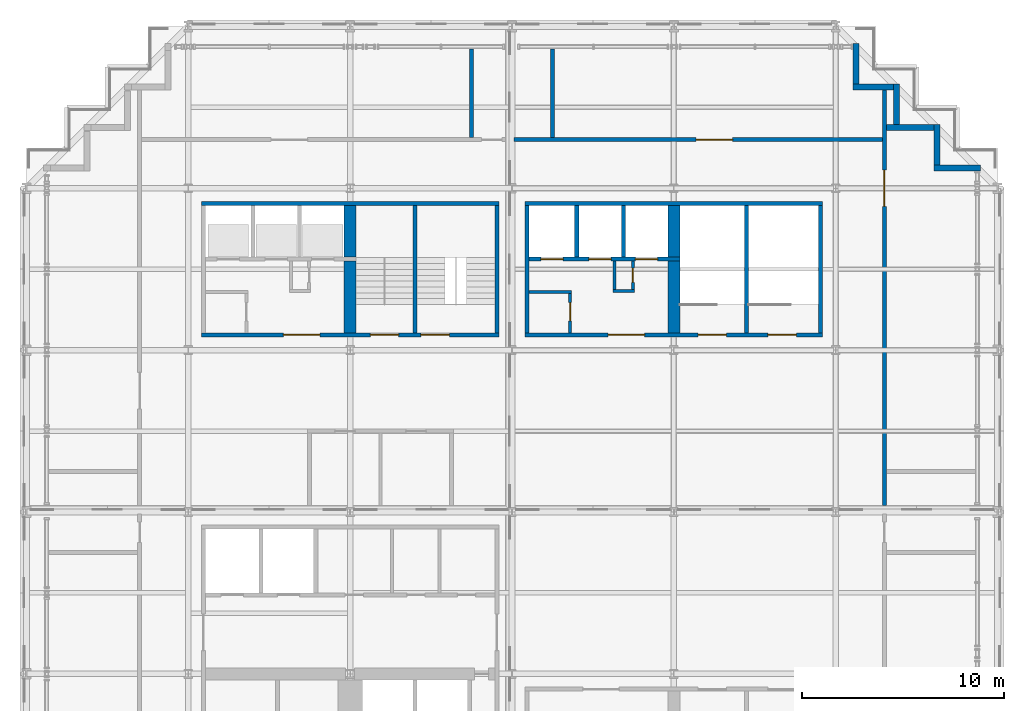
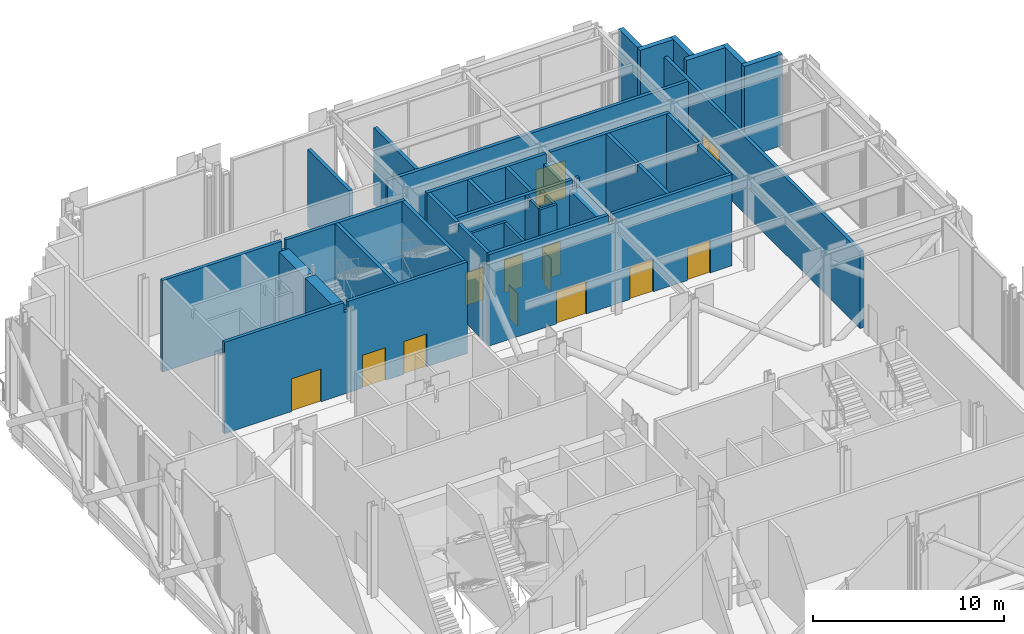
# One storey, part 20 of 25: 31 walls, 13 doors, 13 openings.
"""IFC4 building model written with IfcOpenShell, lengths in metres."""

import ifcopenshell
import ifcopenshell.guid

model = None  # the IFC model being written
_history = None  # IfcOwnerHistory: only IFC2X3 demands one
_inside = {}  # id of a spatial element -> (the spatial element, [elements in it])
_under = {}  # id of a project, library or spatial element -> (it, [spatial elements below it])
_declared = {}  # id of a project -> (the project, [libraries it declares])
_typed = {}  # id of a type object -> (the type object, [elements of that type])
_made_of = {}  # id of a material, layer set ... -> (it, [elements and type objects made of it])


def new_model(schema):
    """Start an empty IFC model of exactly this schema.

    Asked for "IFC4X3", IfcOpenShell would pick the latest addendum, in which some entities
    have other attributes; the version numbers below select the first issue.
    IFC2X3 requires an IfcOwnerHistory on every rooted entity: one is made here for all.
    """
    global model, _history
    if schema == "IFC4X3":
        model = ifcopenshell.file(schema_version=(4, 3, 0, 0))
    else:
        model = ifcopenshell.file(schema=schema)
    _inside.clear()
    _under.clear()
    _declared.clear()
    _typed.clear()
    _made_of.clear()
    _history = None
    if model.schema == "IFC2X3":
        org = make("IfcOrganization", Name="unknown")
        user = make(
            "IfcPersonAndOrganization",
            ThePerson=make("IfcPerson", FamilyName="unknown"),
            TheOrganization=org,
        )
        app = make(
            "IfcApplication",
            ApplicationDeveloper=org,
            Version="unknown",
            ApplicationFullName="unknown",
            ApplicationIdentifier="unknown",
        )
        _history = make(
            "IfcOwnerHistory",
            OwningUser=user,
            OwningApplication=app,
            ChangeAction="ADDED",
            CreationDate=0,
        )
    return model


def make(cls, **values):
    """One entity of the class cls with the attributes given. An attribute that is None is left unset."""
    return model.create_entity(
        cls, **{name: value for name, value in values.items() if value is not None}
    )


def rooted(cls, **values):
    """An entity with a GlobalId (a new one), such as an element, a storey or a relation."""
    return make(cls, GlobalId=ifcopenshell.guid.new(), OwnerHistory=_history, **values)


def si_unit(unit_type, name, prefix=None):
    """IfcSIUnit, for example si_unit("LENGTHUNIT", "METRE", prefix="MILLI")."""
    return make("IfcSIUnit", UnitType=unit_type, Prefix=prefix, Name=name)


def assignment(units):
    """IfcUnitAssignment: the units of a project."""
    return None if units is None else make("IfcUnitAssignment", Units=units)


def point(xyz):
    """IfcCartesianPoint."""
    return None if xyz is None else make("IfcCartesianPoint", Coordinates=xyz)


def direction(xyz):
    """IfcDirection."""
    return None if xyz is None else make("IfcDirection", DirectionRatios=xyz)


def frame(location, z_axis=None, x_axis=None):
    """IfcAxis2Placement3D, a coordinate frame: its origin and axes. An axis left out is left unset."""
    return make(
        "IfcAxis2Placement3D",
        Location=point(location),
        Axis=direction(z_axis),
        RefDirection=direction(x_axis),
    )


def frame_2d(location, x_axis=None):
    """IfcAxis2Placement2D, a coordinate frame in the plane: its origin and x axis."""
    return make(
        "IfcAxis2Placement2D", Location=point(location), RefDirection=direction(x_axis)
    )


def origin():
    """The frame at (0, 0, 0) with its axes left unset."""
    return frame((0.0, 0.0, 0.0))


def place(relative_to, where):
    """IfcLocalPlacement: puts the frame where relative to a parent placement (None: the world)."""
    return make(
        "IfcLocalPlacement", PlacementRelTo=relative_to, RelativePlacement=where
    )


def context(
    kind, dimensions, precision=None, world=None, true_north=None, identifier=None
):
    """IfcGeometricRepresentationContext, for example the 3D "Model" context."""
    return make(
        "IfcGeometricRepresentationContext",
        ContextIdentifier=identifier,
        ContextType=kind,
        CoordinateSpaceDimension=dimensions,
        Precision=precision,
        WorldCoordinateSystem=world,
        TrueNorth=true_north,
    )


def subcontext(parent, identifier, kind, view, scale=None):
    """IfcGeometricRepresentationSubContext, for example "Body" below "Model"."""
    return make(
        "IfcGeometricRepresentationSubContext",
        ContextIdentifier=identifier,
        ContextType=kind,
        ParentContext=parent,
        TargetScale=scale,
        TargetView=view,
    )


def project(units=None, contexts=None):
    """IfcProject with its units and contexts."""
    return rooted(
        "IfcProject",
        Name="project",
        RepresentationContexts=contexts,
        UnitsInContext=assignment(units),
    )


def spatial(cls, under=None, at=None, **own):
    """A site, building, storey or space (cls), placed at a placement, below another one or the project."""
    s = rooted(cls, ObjectPlacement=at, **own)
    if under is not None:
        _under.setdefault(under.id(), (under, []))[1].append(s)
    return s


def polyline(points):
    """IfcPolyline through the points."""
    return make("IfcPolyline", Points=[point(p) for p in points])


def profile(cls, at=None, kind="AREA", **sizes):
    """A parametric profile (cls). Its sizes go by their IFC names, for example OverallWidth=200.0."""
    return make(cls, ProfileType=kind, Position=at, **sizes)


def rectangle(**sizes):
    """IfcRectangleProfileDef."""
    return profile("IfcRectangleProfileDef", **sizes)


def outline(outer, holes=None, kind="AREA"):
    """IfcArbitraryClosedProfileDef: a profile drawn as a closed curve; with holes, ...WithVoids."""
    if holes is None:
        return make("IfcArbitraryClosedProfileDef", ProfileType=kind, OuterCurve=outer)
    return make(
        "IfcArbitraryProfileDefWithVoids",
        ProfileType=kind,
        OuterCurve=outer,
        InnerCurves=holes,
    )


def extrude(swept, where, along, depth):
    """IfcExtrudedAreaSolid: the profile swept, set in the frame where, extruded along a direction by depth."""
    return make(
        "IfcExtrudedAreaSolid",
        SweptArea=swept,
        Position=where,
        ExtrudedDirection=direction(along),
        Depth=depth,
    )


def shape(context_of_items, identifier, shape_type, items):
    """IfcShapeRepresentation: the items that make up one representation, for example the "Body"."""
    return make(
        "IfcShapeRepresentation",
        ContextOfItems=context_of_items,
        RepresentationIdentifier=identifier,
        RepresentationType=shape_type,
        Items=items,
    )


def material(Name=None, Category=None):
    """IfcMaterial."""
    return make("IfcMaterial", Name=Name, Category=Category)


def layer(
    of_material, thickness, ventilated=None, Name=None, Category=None, Priority=None
):
    """IfcMaterialLayer: one layer of a wall or slab, of a material (None: an air gap)."""
    return make(
        "IfcMaterialLayer",
        Material=of_material,
        LayerThickness=thickness,
        IsVentilated=ventilated,
        Name=Name,
        Category=Category,
        Priority=Priority,
    )


def layer_set(layers, Name=None):
    """IfcMaterialLayerSet."""
    return make("IfcMaterialLayerSet", MaterialLayers=layers, LayerSetName=Name)


def made_of(thing, what):
    """Note that an element or type object is made of a material, layer set ...; save() writes the relation."""
    if what is not None:
        _made_of.setdefault(what.id(), (what, []))[1].append(thing)
    return thing


def type_object(cls, material=None, **own):
    """A type object (cls), such as IfcWallType, which elements share."""
    return made_of(rooted(cls, **own), material)


def element(
    cls,
    number,
    at=None,
    inside=None,
    cuts=None,
    type_object=None,
    material=None,
    context=None,
    identifier="Body",
    shape_type=None,
    held_by="IfcProductDefinitionShape",
    body=None,
    shapes=None,
    **own,
):
    """One element of the class cls, such as IfcWall. Its Tag is "e" and its number.

    at: its placement. inside: the storey or other place that contains it. cuts: it is an
    opening in that element (IfcRelVoidsElement). A single representation is given by context,
    identifier, shape_type and body (its items); several are given by shapes. held_by: the class
    of the entity that holds the representations. save() writes the other relations.
    """
    e = rooted(cls, Tag="e%d" % number, ObjectPlacement=at, **own)
    if body is not None:
        shapes = [shape(context, identifier, shape_type, body)]
    if shapes is not None:
        e.Representation = make(held_by, Representations=shapes)
    if inside is not None:
        _inside.setdefault(inside.id(), (inside, []))[1].append(e)
    if cuts is not None:
        rooted(
            "IfcRelVoidsElement", RelatingBuildingElement=cuts, RelatedOpeningElement=e
        )
    if type_object is not None:
        _typed.setdefault(type_object.id(), (type_object, []))[1].append(e)
    return made_of(e, material)


def fill(opening, filler):
    """IfcRelFillsElement: the door or window that sits in an opening."""
    return rooted(
        "IfcRelFillsElement",
        RelatingOpeningElement=opening,
        RelatedBuildingElement=filler,
    )


def aggregate(whole, parts):
    """IfcRelAggregates: a whole, such as a stair, and the parts it consists of."""
    return rooted("IfcRelAggregates", RelatingObject=whole, RelatedObjects=parts)


def save(model, path):
    """Write the relations noted so far, then the file.

    IfcRelAggregates (storeys below a building ...), IfcRelContainedInSpatialStructure (elements
    in a storey), IfcRelDefinesByType, IfcRelAssociatesMaterial and IfcRelDeclares: one each for
    every whole, place, type object, material and project.
    """
    for whole, parts in _under.values():
        aggregate(whole, parts)
    for where, things in _inside.values():
        rooted(
            "IfcRelContainedInSpatialStructure",
            RelatedElements=things,
            RelatingStructure=where,
        )
    for kind, things in _typed.values():
        rooted("IfcRelDefinesByType", RelatedObjects=things, RelatingType=kind)
    for what, things in _made_of.values():
        rooted("IfcRelAssociatesMaterial", RelatedObjects=things, RelatingMaterial=what)
    for by, libraries in _declared.values():
        rooted("IfcRelDeclares", RelatingContext=by, RelatedDefinitions=libraries)
    model.write(path)


model = new_model("IFC4")

# Units and contexts
model_context = context("Model", 3, precision=1e-05, world=origin(), true_north=direction((0.0, 1.0)))
body_context = subcontext(model_context, "Body", "Model", "MODEL_VIEW")
ifc_project = project(units=[si_unit("LENGTHUNIT", "METRE"), si_unit("AREAUNIT", "SQUARE_METRE"), si_unit("VOLUMEUNIT", "CUBIC_METRE"), si_unit("PLANEANGLEUNIT", "RADIAN"), si_unit("MASSUNIT", "GRAM", prefix="KILO")], contexts=[model_context])

# Site, building, storey
site_placement = place(None, origin())
site = spatial("IfcSite", under=ifc_project, at=site_placement, CompositionType="ELEMENT")
building_placement = place(site_placement, origin())
building = spatial("IfcBuilding", under=site, at=building_placement, Name="Immortelle Media Tower", CompositionType="ELEMENT")
storey_placement = place(building_placement, frame((0.0, 0.0, 114.0)))
storey = spatial("IfcBuildingStorey", under=building, at=storey_placement, Name="L22", CompositionType="ELEMENT", Elevation=114.0)

# Wall
ifc_material_1 = material(Name="Fire-rated gypsum board", Category="gypsum")
ifc_layer_1 = layer(ifc_material_1, 0.02490234375)
ifc_material_2 = material(Name="Steel ASTM A653 SS Gr 50 stud frame with mineral wool", Category="steel")
ifc_layer_2 = layer(ifc_material_2, 0.10009765625)
ifc_layer_3 = layer(ifc_material_1, 0.02490234375)
ifc_layer_set_1 = layer_set([ifc_layer_1, ifc_layer_2, ifc_layer_3], Name="Steel ASTM A653 SS Gr 50 stud frame with mineral wool")
wall_type_1 = type_object("IfcWallType", Name="Core partition 150", PredefinedType="PARTITIONING", material=ifc_layer_set_1)
wall_1_placement = place(storey_placement, frame((24.85009765625, 34.875, 0.0), z_axis=(0.0, 0.0, 1.0), x_axis=(1.0, 0.0, 0.0)))
element("IfcWall", 1, at=wall_1_placement, inside=storey, type_object=wall_type_1, Name="Core partition NE", PredefinedType="PARTITIONING", context=body_context, shape_type="SweptSolid", body=[
    extrude(rectangle(XDim=2.099853515625, YDim=0.14990234375, at=frame_2d((1.0498046875, 0.0))), origin(), (0.0, 0.0, 1.0), 5.85009765625),
])

# Wall, opening, door
wall_2_placement = place(storey_placement, frame((26.875, 32.85009765625, 0.0), z_axis=(0.0, 0.0, 1.0), x_axis=(0.0, 1.0, 0.0)))
wall_2 = element("IfcWall", 2, at=wall_2_placement, inside=storey, type_object=wall_type_1, Name="Core partition NE", PredefinedType="PARTITIONING", context=body_context, shape_type="SweptSolid", body=[
    extrude(rectangle(XDim=1.949951171875, YDim=0.14990234375, at=frame_2d((0.97509765625, 0.0))), origin(), (0.0, 0.0, 1.0), 5.85009765625),
])
opening_1_placement = place(wall_2_placement, frame((0.60009765625, 0.0, 0.0)))
opening_1 = element("IfcOpeningElement", 3, at=opening_1_placement, cuts=wall_2, Name="Opening L22-K031", PredefinedType="OPENING", context=body_context, shape_type="SweptSolid", body=[
    extrude(rectangle(XDim=0.89990234375, YDim=2.10009765625, at=frame_2d((0.449951171875, 1.050048828125))), frame((0.0, 0.0849609375, 0.0), z_axis=(0.0, -1.0, 0.0), x_axis=(1.0, 0.0, 0.0)), (0.0, 0.0, 1.0), 0.169921875),
])
ifc_material_3 = material(Name="Galvanised steel door leaf and frame ASTM A653", Category="steel")
door_type_1 = type_object("IfcDoorType", Name="Service door 900 x 2100", OperationType="NOTDEFINED", PredefinedType="NOTDEFINED", material=ifc_material_3)
door_1_placement = place(opening_1_placement, origin())
door_1 = element("IfcDoor", 4, at=door_1_placement, inside=storey, type_object=door_type_1, Name="Service L22-K031", OperationType="SINGLE_SWING_LEFT", OverallHeight=2.10009765625, OverallWidth=0.89990234375, PredefinedType="NOTDEFINED", context=body_context, shape_type="SweptSolid", body=[
    extrude(rectangle(XDim=0.89990234375, YDim=2.10009765625, at=frame_2d((0.449951171875, 1.050048828125))), frame((0.0, 0.02490234375, 0.0), z_axis=(0.0, -1.0, 0.0), x_axis=(1.0, 0.0, 0.0)), (0.0, 0.0, 1.0), 0.050048828125),
])
fill(opening_1, door_1)

# Walls
wall_3_placement = place(storey_placement, frame((29.0, 34.925048828125, 0.0), z_axis=(0.0, 0.0, 1.0), x_axis=(1.0, 0.0, 0.0)))
element("IfcWall", 5, at=wall_3_placement, inside=storey, type_object=wall_type_1, Name="Core partition NE", PredefinedType="PARTITIONING", context=body_context, shape_type="SweptSolid", body=[
    extrude(rectangle(XDim=1.050048828125, YDim=0.14990234375, at=frame_2d((0.52490234375, 0.0))), origin(), (0.0, 0.0, 1.0), 5.85009765625),
])
wall_4_placement = place(storey_placement, frame((29.074951171875, 35.0, 0.0), z_axis=(0.0, 0.0, 1.0), x_axis=(0.0, 1.0, 0.0)))
element("IfcWall", 6, at=wall_4_placement, inside=storey, type_object=wall_type_1, Name="Core partition NE", PredefinedType="PARTITIONING", context=body_context, shape_type="SweptSolid", body=[
    extrude(outline(polyline([(0.0, 0.0), (1.39990234375, 0.0), (1.39990234375, 5.85009765625), (1.08740234375, 5.85009765625), (1.08642578125, 5.318115234375), (0.91357421875, 5.318115234375), (0.91259765625, 5.85009765625), (0.0, 5.85009765625), (0.0, 0.0)])), frame((0.0, 0.074951171875, 0.0), z_axis=(0.0, -1.0, 0.0), x_axis=(1.0, 0.0, 0.0)), (0.0, 0.0, 1.0), 0.14990234375),
])

# Wall, opening, door
wall_5_placement = place(storey_placement, frame((29.97509765625, 35.0, 0.0), z_axis=(0.0, 0.0, 1.0), x_axis=(0.0, 1.0, 0.0)))
wall_5 = element("IfcWall", 7, at=wall_5_placement, inside=storey, type_object=wall_type_1, Name="Core partition NE", PredefinedType="PARTITIONING", context=body_context, shape_type="SweptSolid", body=[
    extrude(outline(polyline([(0.0, 0.0), (1.39990234375, 0.0), (1.39990234375, 5.85009765625), (1.08740234375, 5.85009765625), (1.08642578125, 5.318115234375), (0.91357421875, 5.318115234375), (0.91259765625, 5.85009765625), (0.0, 5.85009765625), (0.0, 0.0)])), frame((0.0, 0.074951171875, 0.0), z_axis=(0.0, -1.0, 0.0), x_axis=(1.0, 0.0, 0.0)), (0.0, 0.0, 1.0), 0.14990234375),
])
opening_2_placement = place(wall_5_placement, frame((0.35009765625, 0.0, 0.0)))
opening_2 = element("IfcOpeningElement", 8, at=opening_2_placement, cuts=wall_5, Name="Opening L22-K034", PredefinedType="OPENING", context=body_context, shape_type="SweptSolid", body=[
    extrude(rectangle(XDim=0.699951171875, YDim=2.10009765625, at=frame_2d((0.35009765625, 1.050048828125))), frame((0.0, 0.0849609375, 0.0), z_axis=(0.0, -1.0, 0.0), x_axis=(1.0, 0.0, 0.0)), (0.0, 0.0, 1.0), 0.169921875),
])
door_type_2 = type_object("IfcDoorType", Name="Service door 700 x 2100", OperationType="NOTDEFINED", PredefinedType="NOTDEFINED", material=ifc_material_3)
door_2_placement = place(opening_2_placement, origin())
door_2 = element("IfcDoor", 9, at=door_2_placement, inside=storey, type_object=door_type_2, Name="Service L22-K034", OperationType="SINGLE_SWING_RIGHT", OverallHeight=2.10009765625, OverallWidth=0.699951171875, PredefinedType="NOTDEFINED", context=body_context, shape_type="SweptSolid", body=[
    extrude(rectangle(XDim=0.699951171875, YDim=2.10009765625, at=frame_2d((0.35009765625, 1.050048828125))), frame((0.0, 0.02490234375, 0.0), z_axis=(0.0, -1.0, 0.0), x_axis=(1.0, 0.0, 0.0)), (0.0, 0.0, 1.0), 0.050048828125),
])
fill(opening_2, door_2)

# Wall
ifc_layer_4 = layer(ifc_material_1, 0.03759765625)
ifc_layer_5 = layer(ifc_material_2, 0.125)
ifc_layer_6 = layer(ifc_material_1, 0.03759765625)
ifc_layer_set_2 = layer_set([ifc_layer_4, ifc_layer_5, ifc_layer_6], Name="Steel ASTM A653 SS Gr 50 stud frame with mineral wool")
wall_type_2 = type_object("IfcWallType", Name="Core shaft wall 200", PredefinedType="PARTITIONING", material=ifc_layer_set_2)
wall_6_placement = place(storey_placement, frame((24.75, 32.85009765625, 0.0), z_axis=(0.0, 0.0, 1.0), x_axis=(0.0, 1.0, 0.0)))
element("IfcWall", 10, at=wall_6_placement, inside=storey, type_object=wall_type_2, Name="Core shaft wall NE", PredefinedType="PARTITIONING", context=body_context, shape_type="SweptSolid", body=[
    extrude(outline(polyline([(0.0, 0.0), (6.2998046875, 0.0), (6.300048828125, 5.85009765625), (3.237548828125, 5.85009765625), (3.236572265625, 5.318115234375), (3.0634765625, 5.318115234375), (3.0625, 5.85009765625), (0.0, 5.85009765625), (0.0, 0.0)])), frame((0.0, 0.10009765625, 0.0), z_axis=(0.0, -1.0, 0.0), x_axis=(1.0, 0.0, 0.0)), (0.0, 0.0, 1.0), 0.199951171875),
])

# Wall, openings, doors
wall_7_placement = place(storey_placement, frame((24.85009765625, 36.5, 0.0), z_axis=(0.0, 0.0, 1.0), x_axis=(1.0, 0.0, 0.0)))
wall_7 = element("IfcWall", 11, at=wall_7_placement, inside=storey, type_object=wall_type_2, Name="Core shaft wall NE", PredefinedType="PARTITIONING", context=body_context, shape_type="SweptSolid", body=[
    extrude(outline(polyline([(0.0, 0.0), (7.449951171875, 0.0), (7.449951171875, 5.85009765625), (7.26953125, 5.85009765625), (7.2685546875, 5.23193359375), (7.031494140625, 5.23193359375), (7.030517578125, 5.85009765625), (0.0, 5.85009765625), (0.0, 0.0)])), frame((0.0, 0.10009765625, 0.0), z_axis=(0.0, -1.0, 0.0), x_axis=(1.0, 0.0, 0.0)), (0.0, 0.0, 1.0), 0.199951171875),
])
opening_3_placement = place(wall_7_placement, frame((0.574951171875, 0.0, 0.0)))
opening_3 = element("IfcOpeningElement", 12, at=opening_3_placement, cuts=wall_7, Name="Opening LD", PredefinedType="OPENING", context=body_context, shape_type="SweptSolid", body=[
    extrude(rectangle(XDim=1.10009765625, YDim=2.10009765625, at=frame_2d((0.550048828125, 1.050048828125))), frame((0.0, 0.10986328125, 0.0), z_axis=(0.0, -1.0, 0.0), x_axis=(1.0, 0.0, 0.0)), (0.0, 0.0, 1.0), 0.219970703125),
])
opening_4_placement = place(wall_7_placement, frame((2.949951171875, 0.0, 0.0)))
opening_4 = element("IfcOpeningElement", 13, at=opening_4_placement, cuts=wall_7, Name="Opening LD", PredefinedType="OPENING", context=body_context, shape_type="SweptSolid", body=[
    extrude(rectangle(XDim=1.10009765625, YDim=2.10009765625, at=frame_2d((0.550048828125, 1.050048828125))), frame((0.0, 0.10986328125, 0.0), z_axis=(0.0, -1.0, 0.0), x_axis=(1.0, 0.0, 0.0)), (0.0, 0.0, 1.0), 0.219970703125),
])
opening_5_placement = place(wall_7_placement, frame((5.25, 0.0, 0.0)))
opening_5 = element("IfcOpeningElement", 14, at=opening_5_placement, cuts=wall_7, Name="Opening LD", PredefinedType="OPENING", context=body_context, shape_type="SweptSolid", body=[
    extrude(rectangle(XDim=1.10009765625, YDim=2.10009765625, at=frame_2d((0.550048828125, 1.050048828125))), frame((0.0, 0.10986328125, 0.0), z_axis=(0.0, -1.0, 0.0), x_axis=(1.0, 0.0, 0.0)), (0.0, 0.0, 1.0), 0.219970703125),
])
ifc_material_4 = material(Name="Stainless steel AISI 304", Category="steel")
door_type_3 = type_object("IfcDoorType", Name="Landing door 1100 x 2100", OperationType="SLIDING_TO_LEFT", PredefinedType="NOTDEFINED", material=ifc_material_4)
door_3_placement = place(opening_3_placement, origin())
door_3 = element("IfcDoor", 15, at=door_3_placement, inside=storey, type_object=door_type_3, Name="Landing door LR1 L22", OperationType="SLIDING_TO_LEFT", OverallHeight=2.10009765625, OverallWidth=1.10009765625, PredefinedType="NOTDEFINED", context=body_context, shape_type="SweptSolid", body=[
    extrude(rectangle(XDim=1.10009765625, YDim=2.10009765625, at=frame_2d((0.550048828125, 1.050048828125))), frame((0.0, 0.02490234375, 0.0), z_axis=(0.0, -1.0, 0.0), x_axis=(1.0, 0.0, 0.0)), (0.0, 0.0, 1.0), 0.050048828125),
])
fill(opening_3, door_3)
door_4_placement = place(opening_4_placement, origin())
door_4 = element("IfcDoor", 16, at=door_4_placement, inside=storey, type_object=door_type_3, Name="Landing door LR2 L22", OperationType="SLIDING_TO_LEFT", OverallHeight=2.10009765625, OverallWidth=1.10009765625, PredefinedType="NOTDEFINED", context=body_context, shape_type="SweptSolid", body=[
    extrude(rectangle(XDim=1.10009765625, YDim=2.10009765625, at=frame_2d((0.550048828125, 1.050048828125))), frame((0.0, 0.02490234375, 0.0), z_axis=(0.0, -1.0, 0.0), x_axis=(1.0, 0.0, 0.0)), (0.0, 0.0, 1.0), 0.050048828125),
])
fill(opening_4, door_4)
door_5_placement = place(opening_5_placement, origin())
door_5 = element("IfcDoor", 17, at=door_5_placement, inside=storey, type_object=door_type_3, Name="Landing door LR3 L22", OperationType="SLIDING_TO_LEFT", OverallHeight=2.10009765625, OverallWidth=1.10009765625, PredefinedType="NOTDEFINED", context=body_context, shape_type="SweptSolid", body=[
    extrude(rectangle(XDim=1.10009765625, YDim=2.10009765625, at=frame_2d((0.550048828125, 1.050048828125))), frame((0.0, 0.02490234375, 0.0), z_axis=(0.0, -1.0, 0.0), x_axis=(1.0, 0.0, 0.0)), (0.0, 0.0, 1.0), 0.050048828125),
])
fill(opening_5, door_5)

# Walls
for number, where, z_axis, x_axis, name in (
    (18, (27.199951171875, 36.60009765625, 0.0), (0.0, 0.0, 1.0), (0.0, 1.0, 0.0), "Core shaft wall NE"),
    (19, (29.5, 36.60009765625, 0.0), (0.0, 0.0, 1.0), (0.0, 1.0, 0.0), "Core shaft wall NE"),
):
    element("IfcWall", number, at=place(storey_placement, frame(where, z_axis=z_axis, x_axis=x_axis)), inside=storey, type_object=wall_type_2, Name=name, PredefinedType="PARTITIONING", context=body_context, shape_type="SweptSolid", body=[
        extrude(rectangle(XDim=2.5498046875, YDim=0.199951171875, at=frame_2d((1.27490234375, 0.0))), origin(), (0.0, 0.0, 1.0), 5.85009765625),
    ])

# Wall, opening, door
ifc_layer_7 = layer(ifc_material_1, 0.03759765625)
ifc_layer_8 = layer(ifc_material_2, 0.125)
ifc_layer_9 = layer(ifc_material_1, 0.03759765625)
ifc_layer_set_3 = layer_set([ifc_layer_7, ifc_layer_8, ifc_layer_9], Name="Steel ASTM A653 SS Gr 50 stud frame with mineral wool")
wall_type_3 = type_object("IfcWallType", Name="Fire-resisting wall 200", PredefinedType="PARTITIONING", material=ifc_layer_set_3)
wall_8_placement = place(storey_placement, frame((24.094970703125, 42.39990234375, 0.0), z_axis=(0.0, 0.0, 1.0), x_axis=(1.0, 0.0, 0.0)))
wall_8 = element("IfcWall", 20, at=wall_8_placement, inside=storey, type_object=wall_type_3, Name="Fire-resisting wall L22-5B", PredefinedType="PARTITIONING", context=body_context, shape_type="SweptSolid", body=[
    extrude(rectangle(XDim=18.205078125, YDim=0.199951171875, at=frame_2d((9.1025390625, 0.0))), origin(), (0.0, 0.0, 1.0), 4.923095703125),
])
opening_6_placement = place(wall_8_placement, frame((9.0048828125, 0.0, 0.0)))
opening_6 = element("IfcOpeningElement", 21, at=opening_6_placement, cuts=wall_8, Name="Opening L22-X12", PredefinedType="OPENING", context=body_context, shape_type="SweptSolid", body=[
    extrude(rectangle(XDim=1.800048828125, YDim=2.39990234375, at=frame_2d((0.89990234375, 1.199951171875))), frame((0.0, 0.10986328125, 0.0), z_axis=(0.0, -1.0, 0.0), x_axis=(1.0, 0.0, 0.0)), (0.0, 0.0, 1.0), 0.219970703125),
])
door_type_4 = type_object("IfcDoorType", Name="Fire double door 1800 x 2400", OperationType="DOUBLE_DOOR_SINGLE_SWING", PredefinedType="DOOR", material=ifc_material_3)
door_6_placement = place(opening_6_placement, origin())
door_6 = element("IfcDoor", 22, at=door_6_placement, inside=storey, type_object=door_type_4, Name="Door L22-X12", OperationType="DOUBLE_DOOR_SINGLE_SWING", OverallHeight=2.39990234375, OverallWidth=1.800048828125, PredefinedType="DOOR", context=body_context, shape_type="SweptSolid", body=[
    extrude(rectangle(XDim=1.800048828125, YDim=2.39990234375, at=frame_2d((0.89990234375, 1.199951171875))), frame((0.0, 0.02490234375, 0.0), z_axis=(0.0, -1.0, 0.0), x_axis=(1.0, 0.0, 0.0)), (0.0, 0.0, 1.0), 0.050048828125),
])
fill(opening_6, door_6)

# Walls
for number, where, z_axis, x_axis, name in (
    (23, (22.0, 42.5, 0.0), (0.0, 0.0, 1.0), (0.0, 1.0, 0.0), "Fire-resisting wall L22-11"),
    (24, (26.0, 42.5, 0.0), (0.0, 0.0, 1.0), (0.0, 1.0, 0.0), "Fire-resisting wall L22-14"),
):
    element("IfcWall", number, at=place(storey_placement, frame(where, z_axis=z_axis, x_axis=x_axis)), inside=storey, type_object=wall_type_3, Name=name, PredefinedType="PARTITIONING", context=body_context, shape_type="SweptSolid", body=[
        extrude(rectangle(XDim=4.39501953125, YDim=0.199951171875, at=frame_2d((2.197509765625, 0.0))), origin(), (0.0, 0.0, 1.0), 4.923095703125),
    ])

# Wall, opening, door
wall_9_placement = place(storey_placement, frame((42.39990234375, 24.321044921875, 0.0), z_axis=(0.0, 0.0, 1.0), x_axis=(0.0, 1.0, 0.0)))
wall_9 = element("IfcWall", 25, at=wall_9_placement, inside=storey, type_object=wall_type_3, Name="Fire-resisting wall L22-15B", PredefinedType="PARTITIONING", context=body_context, shape_type="SweptSolid", body=[
    extrude(rectangle(XDim=20.529052734375, YDim=0.199951171875, at=frame_2d((10.2646484375, 0.0))), origin(), (0.0, 0.0, 1.0), 4.923095703125),
])
opening_7_placement = place(wall_9_placement, frame((14.779052734375, 0.0, 0.0)))
opening_7 = element("IfcOpeningElement", 26, at=opening_7_placement, cuts=wall_9, Name="Opening L22-X09", PredefinedType="OPENING", context=body_context, shape_type="SweptSolid", body=[
    extrude(rectangle(XDim=1.800048828125, YDim=2.39990234375, at=frame_2d((0.89990234375, 1.199951171875))), frame((0.0, 0.10986328125, 0.0), z_axis=(0.0, -1.0, 0.0), x_axis=(1.0, 0.0, 0.0)), (0.0, 0.0, 1.0), 0.219970703125),
])
door_7_placement = place(opening_7_placement, origin())
door_7 = element("IfcDoor", 27, at=door_7_placement, inside=storey, type_object=door_type_4, Name="Door L22-X09", OperationType="DOUBLE_DOOR_SINGLE_SWING", OverallHeight=2.39990234375, OverallWidth=1.800048828125, PredefinedType="DOOR", context=body_context, shape_type="SweptSolid", body=[
    extrude(rectangle(XDim=1.800048828125, YDim=2.39990234375, at=frame_2d((0.89990234375, 1.199951171875))), frame((0.0, 0.02490234375, 0.0), z_axis=(0.0, -1.0, 0.0), x_axis=(1.0, 0.0, 0.0)), (0.0, 0.0, 1.0), 0.050048828125),
])
fill(opening_7, door_7)

# Walls
ifc_material_5 = material(Name="Pale aluminium cladding panel", Category="aluminium")
ifc_layer_10 = layer(ifc_material_5, 0.030029296875)
ifc_layer_11 = layer(ifc_material_2, 0.257568359375)
ifc_material_6 = material(Name="Moisture-resistant gypsum board", Category="gypsum")
ifc_layer_12 = layer(ifc_material_6, 0.012451171875)
ifc_layer_set_4 = layer_set([ifc_layer_10, ifc_layer_11, ifc_layer_12], Name="Steel ASTM A653 SS Gr 50 stud frame with mineral wool")
wall_type_4 = type_object("IfcWallType", Name="Pale metal clad wall 300", PredefinedType="STANDARD", material=ifc_layer_set_4)
wall_10_placement = place(storey_placement, frame((47.14990234375, 41.0, 0.0), z_axis=(0.0, 0.0, 1.0), x_axis=(-1.0, 0.0, 0.0)))
element("IfcWall", 28, at=wall_10_placement, inside=storey, type_object=wall_type_4, Name="Plant corner wall L22 N 15", PredefinedType="STANDARD", context=body_context, shape_type="SweptSolid", body=[
    extrude(rectangle(XDim=2.2998046875, YDim=0.300048828125, at=frame_2d((1.14990234375, 0.0))), origin(), (0.0, 0.0, 1.0), 5.849609375),
])
wall_11_placement = place(storey_placement, frame((45.0, 41.14990234375, 0.0), z_axis=(0.0, 0.0, 1.0), x_axis=(0.0, 1.0, 0.0)))
element("IfcWall", 29, at=wall_11_placement, inside=storey, type_object=wall_type_4, Name="Plant corner wall L22 E 16", PredefinedType="STANDARD", context=body_context, shape_type="SweptSolid", body=[
    extrude(rectangle(XDim=2.0, YDim=0.300048828125, at=frame_2d((1.0, 0.0))), origin(), (0.0, 0.0, 1.0), 5.849609375),
])
wall_12_placement = place(storey_placement, frame((44.85009765625, 43.0, 0.0), z_axis=(0.0, 0.0, 1.0), x_axis=(-1.0, 0.0, 0.0)))
element("IfcWall", 30, at=wall_12_placement, inside=storey, type_object=wall_type_4, Name="Plant corner wall L22 N 17", PredefinedType="STANDARD", context=body_context, shape_type="SweptSolid", body=[
    extrude(rectangle(XDim=2.35009765625, YDim=0.300048828125, at=frame_2d((1.175048828125, 0.0))), origin(), (0.0, 0.0, 1.0), 5.849609375),
])
for number, where, z_axis, x_axis, name in (
    (31, (43.0, 43.14990234375, 0.0), (0.0, 0.0, 1.0), (0.0, 1.0, 0.0), "Plant corner wall L22 E 18"),
    (32, (42.85009765625, 45.0, 0.0), (0.0, 0.0, 1.0), (-1.0, 0.0, 0.0), "Plant corner wall L22 N 19"),
    (33, (41.0, 45.14990234375, 0.0), (0.0, 0.0, 1.0), (0.0, 1.0, 0.0), "Plant corner wall L22 E 20"),
):
    element("IfcWall", number, at=place(storey_placement, frame(where, z_axis=z_axis, x_axis=x_axis)), inside=storey, type_object=wall_type_4, Name=name, PredefinedType="STANDARD", context=body_context, shape_type="SweptSolid", body=[
        extrude(rectangle(XDim=2.0, YDim=0.300048828125, at=frame_2d((1.0, 0.0))), origin(), (0.0, 0.0, 1.0), 5.849609375),
    ])

# Wall, openings, doors
ifc_material_7 = material(Name="Concrete C60", Category="concrete")
ifc_layer_13 = layer(ifc_material_7, 0.199951171875)
ifc_layer_set_5 = layer_set([ifc_layer_13], Name="Concrete C60")
wall_type_5 = type_object("IfcWallType", Name="Stair shaft wall 200", PredefinedType="PARTITIONING", material=ifc_layer_set_5)
wall_13_placement = place(storey_placement, frame((8.64990234375, 32.75, 0.0), z_axis=(0.0, 0.0, 1.0), x_axis=(1.0, 0.0, 0.0)))
wall_13 = element("IfcWall", 34, at=wall_13_placement, inside=storey, type_object=wall_type_5, Name="Stair shaft wall NW", PredefinedType="PARTITIONING", context=body_context, shape_type="SweptSolid", body=[
    extrude(outline(polyline([(0.0, 0.0), (14.7001953125, 0.0), (14.699951171875, 5.85009765625), (7.469482421875, 5.85009765625), (7.468505859375, 5.23193359375), (7.2314453125, 5.23193359375), (7.23046875, 5.85009765625), (0.0, 5.85009765625), (0.0, 0.0)])), frame((0.0, 0.10009765625, 0.0), z_axis=(0.0, -1.0, 0.0), x_axis=(1.0, 0.0, 0.0)), (0.0, 0.0, 1.0), 0.199951171875),
])
opening_8_placement = place(wall_13_placement, frame((4.050048828125, 0.0, 0.0)))
opening_8 = element("IfcOpeningElement", 35, at=opening_8_placement, cuts=wall_13, Name="Opening L22-K025", PredefinedType="OPENING", context=body_context, shape_type="SweptSolid", body=[
    extrude(rectangle(XDim=1.800048828125, YDim=2.10009765625, at=frame_2d((0.89990234375, 1.050048828125))), frame((0.0, 0.10986328125, 0.0), z_axis=(0.0, -1.0, 0.0), x_axis=(1.0, 0.0, 0.0)), (0.0, 0.0, 1.0), 0.219970703125),
])
opening_9_placement = place(wall_13_placement, frame((8.35009765625, 0.0, 0.0)))
opening_9 = element("IfcOpeningElement", 36, at=opening_9_placement, cuts=wall_13, Name="Opening L22-K028", PredefinedType="OPENING", context=body_context, shape_type="SweptSolid", body=[
    extrude(rectangle(XDim=1.39990234375, YDim=2.10009765625, at=frame_2d((0.699951171875, 1.050048828125))), frame((0.0, 0.10986328125, 0.0), z_axis=(0.0, -1.0, 0.0), x_axis=(1.0, 0.0, 0.0)), (0.0, 0.0, 1.0), 0.219970703125),
])
opening_10_placement = place(wall_13_placement, frame((10.85009765625, 0.0, 0.0)))
opening_10 = element("IfcOpeningElement", 37, at=opening_10_placement, cuts=wall_13, Name="Opening L22-K029", PredefinedType="OPENING", context=body_context, shape_type="SweptSolid", body=[
    extrude(rectangle(XDim=1.39990234375, YDim=2.10009765625, at=frame_2d((0.699951171875, 1.050048828125))), frame((0.0, 0.10986328125, 0.0), z_axis=(0.0, -1.0, 0.0), x_axis=(1.0, 0.0, 0.0)), (0.0, 0.0, 1.0), 0.219970703125),
])
door_type_5 = type_object("IfcDoorType", Name="Lift lobby door 1800 x 2100", OperationType="DOUBLE_DOOR_SINGLE_SWING", PredefinedType="NOTDEFINED", material=ifc_material_3)
door_8_placement = place(opening_8_placement, origin())
door_8 = element("IfcDoor", 38, at=door_8_placement, inside=storey, type_object=door_type_5, Name="Lift lobby L22-K025", OperationType="DOUBLE_DOOR_SINGLE_SWING", OverallHeight=2.10009765625, OverallWidth=1.800048828125, PredefinedType="NOTDEFINED", context=body_context, shape_type="SweptSolid", body=[
    extrude(rectangle(XDim=1.800048828125, YDim=2.10009765625, at=frame_2d((0.89990234375, 1.050048828125))), frame((0.0, 0.02490234375, 0.0), z_axis=(0.0, -1.0, 0.0), x_axis=(1.0, 0.0, 0.0)), (0.0, 0.0, 1.0), 0.050048828125),
])
fill(opening_8, door_8)
door_type_6 = type_object("IfcDoorType", Name="Stair door 1400 x 2100", OperationType="DOUBLE_DOOR_SINGLE_SWING", PredefinedType="NOTDEFINED", material=ifc_material_3)
door_9_placement = place(opening_9_placement, origin())
door_9 = element("IfcDoor", 39, at=door_9_placement, inside=storey, type_object=door_type_6, Name="Stair L22-K028", OperationType="DOUBLE_DOOR_SINGLE_SWING", OverallHeight=2.10009765625, OverallWidth=1.39990234375, PredefinedType="NOTDEFINED", context=body_context, shape_type="SweptSolid", body=[
    extrude(rectangle(XDim=1.39990234375, YDim=2.10009765625, at=frame_2d((0.699951171875, 1.050048828125))), frame((0.0, 0.02490234375, 0.0), z_axis=(0.0, -1.0, 0.0), x_axis=(1.0, 0.0, 0.0)), (0.0, 0.0, 1.0), 0.050048828125),
])
fill(opening_9, door_9)
door_10_placement = place(opening_10_placement, origin())
door_10 = element("IfcDoor", 40, at=door_10_placement, inside=storey, type_object=door_type_6, Name="Stair L22-K029", OperationType="DOUBLE_DOOR_SINGLE_SWING", OverallHeight=2.10009765625, OverallWidth=1.39990234375, PredefinedType="NOTDEFINED", context=body_context, shape_type="SweptSolid", body=[
    extrude(rectangle(XDim=1.39990234375, YDim=2.10009765625, at=frame_2d((0.699951171875, 1.050048828125))), frame((0.0, 0.02490234375, 0.0), z_axis=(0.0, -1.0, 0.0), x_axis=(1.0, 0.0, 0.0)), (0.0, 0.0, 1.0), 0.050048828125),
])
fill(opening_10, door_10)

# Walls
wall_14_placement = place(storey_placement, frame((8.64990234375, 39.25, 0.0), z_axis=(0.0, 0.0, 1.0), x_axis=(1.0, 0.0, 0.0)))
element("IfcWall", 41, at=wall_14_placement, inside=storey, type_object=wall_type_5, Name="Stair shaft wall NW", PredefinedType="PARTITIONING", context=body_context, shape_type="SweptSolid", body=[
    extrude(outline(polyline([(0.0, 0.0), (14.7001953125, 0.0), (14.699951171875, 5.85009765625), (7.469482421875, 5.85009765625), (7.468505859375, 5.23193359375), (7.2314453125, 5.23193359375), (7.23046875, 5.85009765625), (0.0, 5.85009765625), (0.0, 0.0)])), frame((0.0, 0.10009765625, 0.0), z_axis=(0.0, -1.0, 0.0), x_axis=(1.0, 0.0, 0.0)), (0.0, 0.0, 1.0), 0.199951171875),
])
for number, where, z_axis, x_axis, name in (
    (42, (19.199951171875, 32.85009765625, 0.0), (0.0, 0.0, 1.0), (0.0, 1.0, 0.0), "Stair shaft wall NW"),
    (43, (23.25, 32.85009765625, 0.0), (0.0, 0.0, 1.0), (0.0, 1.0, 0.0), "Stair shaft wall NW"),
):
    element("IfcWall", number, at=place(storey_placement, frame(where, z_axis=z_axis, x_axis=x_axis)), inside=storey, type_object=wall_type_5, Name=name, PredefinedType="PARTITIONING", context=body_context, shape_type="SweptSolid", body=[
        extrude(rectangle(XDim=6.2998046875, YDim=0.199951171875, at=frame_2d((3.14990234375, 0.0))), origin(), (0.0, 0.0, 1.0), 5.85009765625),
    ])

# Wall, openings, doors
wall_15_placement = place(storey_placement, frame((24.64990234375, 32.75, 0.0), z_axis=(0.0, 0.0, 1.0), x_axis=(1.0, 0.0, 0.0)))
wall_15 = element("IfcWall", 44, at=wall_15_placement, inside=storey, type_object=wall_type_5, Name="Stair shaft wall NE", PredefinedType="PARTITIONING", context=body_context, shape_type="SweptSolid", body=[
    extrude(outline(polyline([(0.0, 0.0), (14.7001953125, 0.0), (14.699951171875, 5.85009765625), (7.469482421875, 5.85009765625), (7.468505859375, 5.23193359375), (7.2314453125, 5.23193359375), (7.23046875, 5.85009765625), (0.0, 5.85009765625), (0.0, 0.0)])), frame((0.0, 0.10009765625, 0.0), z_axis=(0.0, -1.0, 0.0), x_axis=(1.0, 0.0, 0.0)), (0.0, 0.0, 1.0), 0.199951171875),
])
opening_11_placement = place(wall_15_placement, frame((4.10009765625, 0.0, 0.0)))
opening_11 = element("IfcOpeningElement", 45, at=opening_11_placement, cuts=wall_15, Name="Opening L22-K033", PredefinedType="OPENING", context=body_context, shape_type="SweptSolid", body=[
    extrude(rectangle(XDim=1.800048828125, YDim=2.10009765625, at=frame_2d((0.89990234375, 1.050048828125))), frame((0.0, 0.10986328125, 0.0), z_axis=(0.0, -1.0, 0.0), x_axis=(1.0, 0.0, 0.0)), (0.0, 0.0, 1.0), 0.219970703125),
])
opening_12_placement = place(wall_15_placement, frame((8.550048828125, 0.0, 0.0)))
opening_12 = element("IfcOpeningElement", 46, at=opening_12_placement, cuts=wall_15, Name="Opening L22-K036", PredefinedType="OPENING", context=body_context, shape_type="SweptSolid", body=[
    extrude(rectangle(XDim=1.39990234375, YDim=2.10009765625, at=frame_2d((0.699951171875, 1.050048828125))), frame((0.0, 0.10986328125, 0.0), z_axis=(0.0, -1.0, 0.0), x_axis=(1.0, 0.0, 0.0)), (0.0, 0.0, 1.0), 0.219970703125),
])
opening_13_placement = place(wall_15_placement, frame((12.0, 0.0, 0.0)))
opening_13 = element("IfcOpeningElement", 47, at=opening_13_placement, cuts=wall_15, Name="Opening L22-K037", PredefinedType="OPENING", context=body_context, shape_type="SweptSolid", body=[
    extrude(rectangle(XDim=1.39990234375, YDim=2.10009765625, at=frame_2d((0.699951171875, 1.050048828125))), frame((0.0, 0.10986328125, 0.0), z_axis=(0.0, -1.0, 0.0), x_axis=(1.0, 0.0, 0.0)), (0.0, 0.0, 1.0), 0.219970703125),
])
door_11_placement = place(opening_11_placement, origin())
door_11 = element("IfcDoor", 48, at=door_11_placement, inside=storey, type_object=door_type_5, Name="Lift lobby L22-K033", OperationType="DOUBLE_DOOR_SINGLE_SWING", OverallHeight=2.10009765625, OverallWidth=1.800048828125, PredefinedType="NOTDEFINED", context=body_context, shape_type="SweptSolid", body=[
    extrude(rectangle(XDim=1.800048828125, YDim=2.10009765625, at=frame_2d((0.89990234375, 1.050048828125))), frame((0.0, 0.02490234375, 0.0), z_axis=(0.0, -1.0, 0.0), x_axis=(1.0, 0.0, 0.0)), (0.0, 0.0, 1.0), 0.050048828125),
])
fill(opening_11, door_11)
door_12_placement = place(opening_12_placement, origin())
door_12 = element("IfcDoor", 49, at=door_12_placement, inside=storey, type_object=door_type_6, Name="Stair L22-K036", OperationType="DOUBLE_DOOR_SINGLE_SWING", OverallHeight=2.10009765625, OverallWidth=1.39990234375, PredefinedType="NOTDEFINED", context=body_context, shape_type="SweptSolid", body=[
    extrude(rectangle(XDim=1.39990234375, YDim=2.10009765625, at=frame_2d((0.699951171875, 1.050048828125))), frame((0.0, 0.02490234375, 0.0), z_axis=(0.0, -1.0, 0.0), x_axis=(1.0, 0.0, 0.0)), (0.0, 0.0, 1.0), 0.050048828125),
])
fill(opening_12, door_12)
door_13_placement = place(opening_13_placement, origin())
door_13 = element("IfcDoor", 50, at=door_13_placement, inside=storey, type_object=door_type_6, Name="Stair L22-K037", OperationType="DOUBLE_DOOR_SINGLE_SWING", OverallHeight=2.10009765625, OverallWidth=1.39990234375, PredefinedType="NOTDEFINED", context=body_context, shape_type="SweptSolid", body=[
    extrude(rectangle(XDim=1.39990234375, YDim=2.10009765625, at=frame_2d((0.699951171875, 1.050048828125))), frame((0.0, 0.02490234375, 0.0), z_axis=(0.0, -1.0, 0.0), x_axis=(1.0, 0.0, 0.0)), (0.0, 0.0, 1.0), 0.050048828125),
])
fill(opening_13, door_13)

# Walls
wall_16_placement = place(storey_placement, frame((24.64990234375, 39.25, 0.0), z_axis=(0.0, 0.0, 1.0), x_axis=(1.0, 0.0, 0.0)))
element("IfcWall", 51, at=wall_16_placement, inside=storey, type_object=wall_type_5, Name="Stair shaft wall NE", PredefinedType="PARTITIONING", context=body_context, shape_type="SweptSolid", body=[
    extrude(outline(polyline([(0.0, 0.0), (14.7001953125, 0.0), (14.699951171875, 5.85009765625), (7.469482421875, 5.85009765625), (7.468505859375, 5.23193359375), (7.2314453125, 5.23193359375), (7.23046875, 5.85009765625), (0.0, 5.85009765625), (0.0, 0.0)])), frame((0.0, 0.10009765625, 0.0), z_axis=(0.0, -1.0, 0.0), x_axis=(1.0, 0.0, 0.0)), (0.0, 0.0, 1.0), 0.199951171875),
])
for number, where, z_axis, x_axis, name in (
    (52, (35.60009765625, 32.85009765625, 0.0), (0.0, 0.0, 1.0), (0.0, 1.0, 0.0), "Stair shaft wall NE"),
    (53, (39.25, 32.85009765625, 0.0), (0.0, 0.0, 1.0), (0.0, 1.0, 0.0), "Stair shaft wall NE"),
):
    element("IfcWall", number, at=place(storey_placement, frame(where, z_axis=z_axis, x_axis=x_axis)), inside=storey, type_object=wall_type_5, Name=name, PredefinedType="PARTITIONING", context=body_context, shape_type="SweptSolid", body=[
        extrude(outline(polyline([(0.0, 0.0), (6.2998046875, 0.0), (6.300048828125, 5.85009765625), (3.237548828125, 5.85009765625), (3.236572265625, 5.318115234375), (3.0634765625, 5.318115234375), (3.0625, 5.85009765625), (0.0, 5.85009765625), (0.0, 0.0)])), frame((0.0, 0.10009765625, 0.0), z_axis=(0.0, -1.0, 0.0), x_axis=(1.0, 0.0, 0.0)), (0.0, 0.0, 1.0), 0.199951171875),
    ])
ifc_layer_14 = layer(ifc_material_7, 0.60009765625)
ifc_layer_set_6 = layer_set([ifc_layer_14], Name="Concrete C60")
wall_type_6 = type_object("IfcWallType", Name="Stair shaft wall 600", PredefinedType="PARTITIONING", material=ifc_layer_set_6)
wall_17_placement = place(storey_placement, frame((16.0, 32.85009765625, 0.0), z_axis=(0.0, 0.0, 1.0), x_axis=(0.0, 1.0, 0.0)))
element("IfcWall", 54, at=wall_17_placement, inside=storey, type_object=wall_type_6, Name="Stair shaft wall NW", PredefinedType="PARTITIONING", context=body_context, shape_type="SweptSolid", body=[
    extrude(rectangle(XDim=3.5498046875, YDim=0.60009765625, at=frame_2d((1.77490234375, 0.0))), origin(), (0.0, 0.0, 1.0), 5.23193359375),
])
wall_18_placement = place(storey_placement, frame((16.0, 36.60009765625, 0.0), z_axis=(0.0, 0.0, 1.0), x_axis=(0.0, 1.0, 0.0)))
element("IfcWall", 55, at=wall_18_placement, inside=storey, type_object=wall_type_6, Name="Stair shaft wall NW", PredefinedType="PARTITIONING", context=body_context, shape_type="SweptSolid", body=[
    extrude(rectangle(XDim=2.5498046875, YDim=0.60009765625, at=frame_2d((1.27490234375, 0.0))), origin(), (0.0, 0.0, 1.0), 5.23193359375),
])
wall_19_placement = place(storey_placement, frame((32.0, 32.85009765625, 0.0), z_axis=(0.0, 0.0, 1.0), x_axis=(0.0, 1.0, 0.0)))
element("IfcWall", 56, at=wall_19_placement, inside=storey, type_object=wall_type_6, Name="Stair shaft wall NE", PredefinedType="PARTITIONING", context=body_context, shape_type="SweptSolid", body=[
    extrude(rectangle(XDim=3.5498046875, YDim=0.60009765625, at=frame_2d((1.77490234375, 0.0))), origin(), (0.0, 0.0, 1.0), 5.23193359375),
])
wall_20_placement = place(storey_placement, frame((32.0, 36.60009765625, 0.0), z_axis=(0.0, 0.0, 1.0), x_axis=(0.0, 1.0, 0.0)))
element("IfcWall", 57, at=wall_20_placement, inside=storey, type_object=wall_type_6, Name="Stair shaft wall NE", PredefinedType="PARTITIONING", context=body_context, shape_type="SweptSolid", body=[
    extrude(rectangle(XDim=2.5498046875, YDim=0.60009765625, at=frame_2d((1.27490234375, 0.0))), origin(), (0.0, 0.0, 1.0), 5.23193359375),
])

save(model, "model.ifc")
